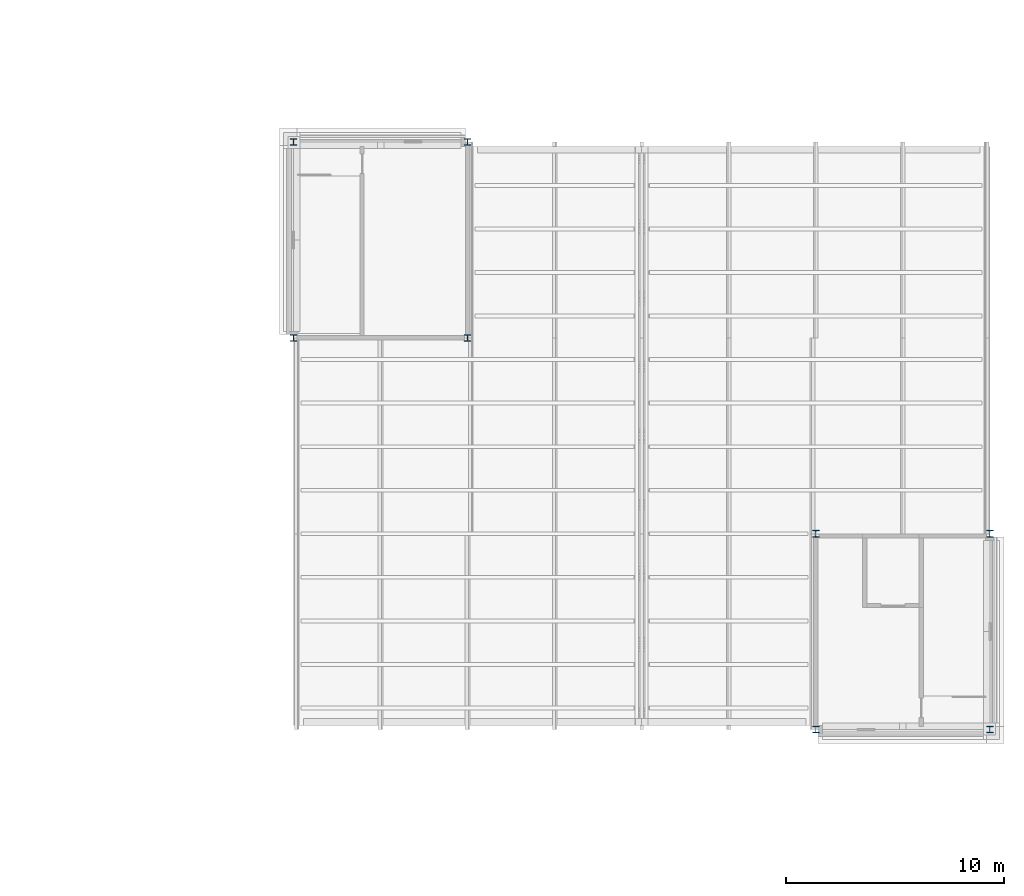
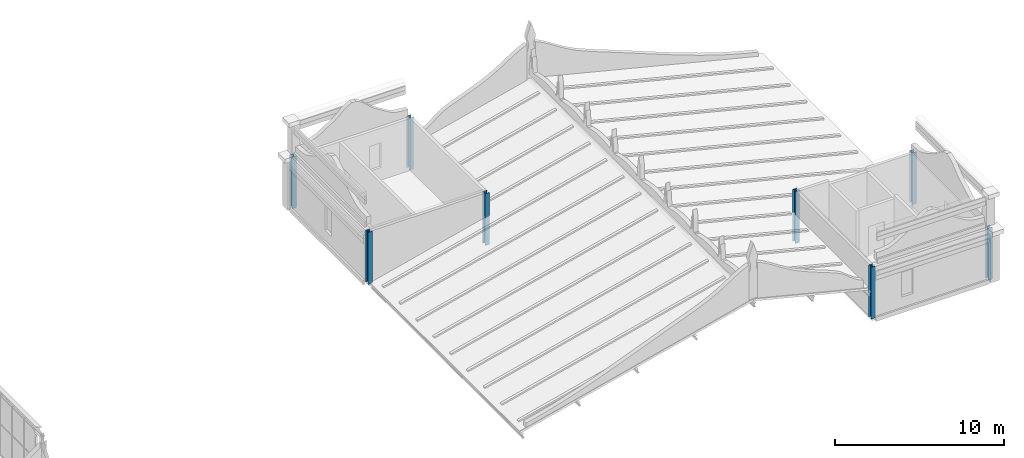
# One storey, part 14 of 111: 8 columns.
"""IFC4 building model written with IfcOpenShell, lengths in metres."""

from ifc_helpers import new_model, si_unit, direction, frame, origin, origin_2d, place, context, subcontext, project, spatial, i_section, extrude, material, material_profile, profile_set, type_object, element, save


model = new_model("IFC4")

# Units and contexts
model_context = context("Model", 3, precision=1e-05, world=origin(), true_north=direction((0.0, 1.0)))
body_context = subcontext(model_context, "Body", "Model", "MODEL_VIEW")
ifc_project = project(units=[si_unit("LENGTHUNIT", "METRE"), si_unit("AREAUNIT", "SQUARE_METRE"), si_unit("VOLUMEUNIT", "CUBIC_METRE"), si_unit("PLANEANGLEUNIT", "RADIAN"), si_unit("MASSUNIT", "GRAM", prefix="KILO")], contexts=[model_context])

# Site, building, storey
site_placement = place(None, origin())
site = spatial("IfcSite", under=ifc_project, at=site_placement, CompositionType="ELEMENT")
building_placement = place(site_placement, origin())
building = spatial("IfcBuilding", under=site, at=building_placement, Name="Kallimachos Central Library", CompositionType="ELEMENT")
storey_placement = place(building_placement, frame((0.0, 0.0, 14.39990234375)))
storey = spatial("IfcBuildingStorey", under=building, at=storey_placement, Name="L03", CompositionType="ELEMENT", Elevation=14.39990234375)

# Columns
ifc_material = material(Name="Steel S355J2", Category="steel")
ifc_material_profile = material_profile(ifc_material, i_section(OverallWidth=0.300048828125, OverallDepth=0.300048828125, WebThickness=0.010986328125, FlangeThickness=0.01904296875, FilletRadius=0.027099609375, at=origin_2d()), Name="HEB 300")
ifc_profile_set = profile_set([ifc_material_profile], Name="Steel S355J2")
column_type = type_object("IfcColumnType", Name="HEB 300 column", PredefinedType="COLUMN", material=ifc_profile_set)
for number, where, z_axis, x_axis, name in (
    (1, (170.0, 87.0, 0.0), (0.0, 0.0, 1.0), (1.0, 0.0, 0.0), "V3-COL-L03-001"),
    (2, (170.0, 96.0, 0.0), (0.0, 0.0, 1.0), (1.0, 0.0, 0.0), "V3-COL-L03-002"),
    (3, (138.0, 105.0, 0.0), (0.0, 0.0, 1.0), (1.0, 0.0, 0.0), "V3-COL-L03-003"),
    (4, (138.0, 114.0, 0.0), (0.0, 0.0, 1.0), (1.0, 0.0, 0.0), "V3-COL-L03-004"),
    (5, (146.0, 105.0, 0.0), (0.0, 0.0, 1.0), (1.0, 0.0, 0.0), "V3-COL-L03-005"),
    (6, (146.0, 114.0, 0.0), (0.0, 0.0, 1.0), (1.0, 0.0, 0.0), "V3-COL-L03-006"),
    (7, (162.0, 87.0, 0.0), (0.0, 0.0, 1.0), (1.0, 0.0, 0.0), "V3-COL-L03-007"),
    (8, (162.0, 96.0, 0.0), (0.0, 0.0, 1.0), (1.0, 0.0, 0.0), "V3-COL-L03-008"),
):
    element("IfcColumn", number, at=place(storey_placement, frame(where, z_axis=z_axis, x_axis=x_axis)), inside=storey, type_object=column_type, Name=name, PredefinedType="COLUMN", context=body_context, shape_type="SweptSolid", body=[
        extrude(i_section(OverallWidth=0.300048828125, OverallDepth=0.300048828125, WebThickness=0.010986328125, FlangeThickness=0.01904296875, FilletRadius=0.027099609375, at=origin_2d()), origin(), (0.0, 0.0, 1.0), 3.75),
    ])

save(model, "model.ifc")
